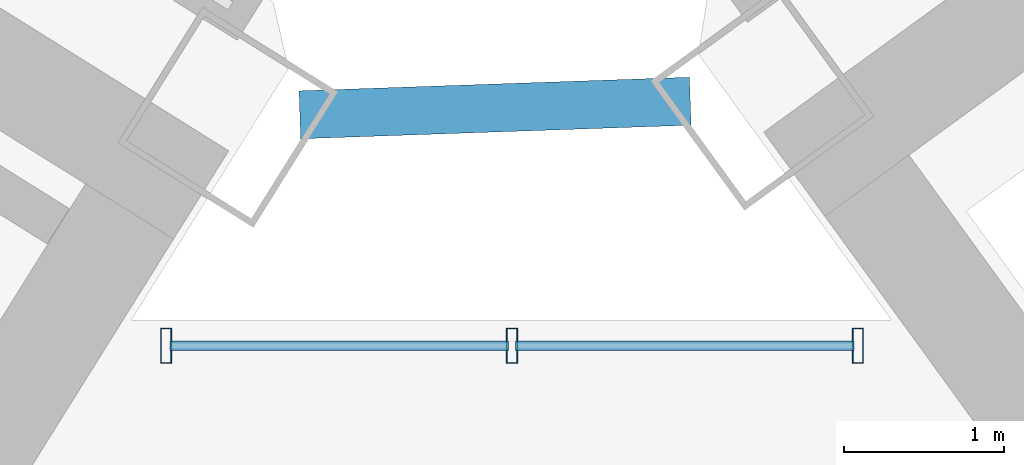
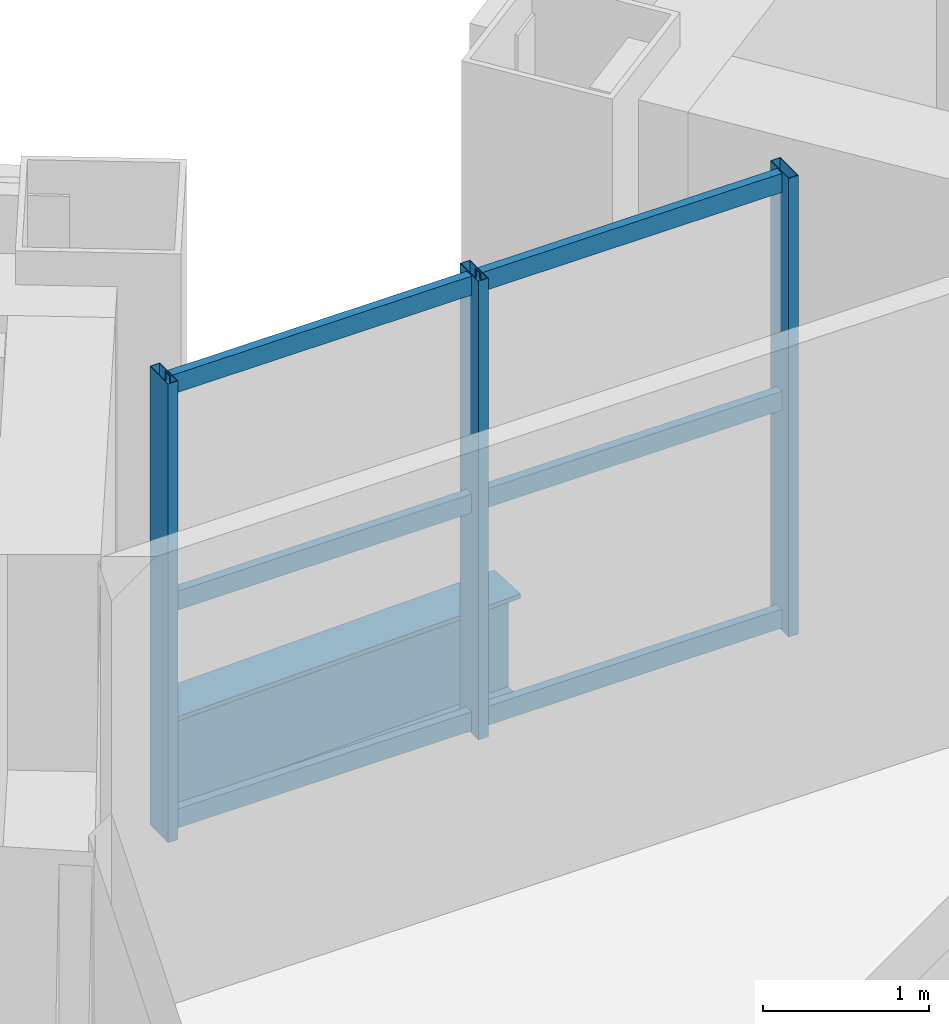
# One storey, part 11 of 28: 9 members, 1 beam, 1 element without a shape of its own.
"""IFC4 building model written with IfcOpenShell, lengths in metres."""

from ifc_helpers import new_model, si_unit, direction, frame, origin, origin_2d, place, context, subcontext, project, spatial, hollow_rectangle, i_section, extrude, source, transform, mapped, material, material_profile, profile_set, type_object, element, aggregate, save


model = new_model("IFC4")

# Units and contexts
model_context = context("Model", 3, precision=1e-05, world=origin(), true_north=direction((0.0, 1.0)))
body_context = subcontext(model_context, "Body", "Model", "MODEL_VIEW")
ifc_project = project(units=[si_unit("LENGTHUNIT", "METRE"), si_unit("AREAUNIT", "SQUARE_METRE"), si_unit("VOLUMEUNIT", "CUBIC_METRE"), si_unit("PLANEANGLEUNIT", "RADIAN"), si_unit("MASSUNIT", "GRAM", prefix="KILO")], contexts=[model_context])

# Site, building, storey
site_placement = place(None, origin())
site = spatial("IfcSite", under=ifc_project, at=site_placement, CompositionType="ELEMENT")
building_placement = place(site_placement, origin())
building = spatial("IfcBuilding", under=site, at=building_placement, Name="Tlacorven Tower", CompositionType="ELEMENT")
storey_placement = place(building_placement, frame((0.0, 0.0, 56.39990234375)))
storey = spatial("IfcBuildingStorey", under=building, at=storey_placement, Name="L14", CompositionType="ELEMENT", Elevation=56.39990234375)

# Beam
ifc_material_1 = material(Name="Steel S355J2", Category="steel")
ifc_material_profile_1 = material_profile(ifc_material_1, i_section(OverallWidth=0.300048828125, OverallDepth=0.800048828125, WebThickness=0.017578125, FlangeThickness=0.032958984375, at=origin_2d()), Name="HEB 800")
ifc_profile_set_1 = profile_set([ifc_material_profile_1], Name="Steel S355J2")
beam_type = type_object("IfcBeamType", Name="BM-POD-800", PredefinedType="BEAM", material=ifc_profile_set_1)
shared_shape_1 = source(origin(), body_context, "Body", "SweptSolid", [
    extrude(i_section(OverallWidth=0.300048828125, OverallDepth=0.800048828125, WebThickness=0.017578125, FlangeThickness=0.032958984375, at=origin_2d()), origin(), (0.0, 0.0, 1.0), 2.44287109375),
])
beam_placement = place(storey_placement, frame((41.232666015625, 24.484130859375, -0.64990234375), z_axis=(0.999391550767, 0.034878765122, 0.0), x_axis=(-0.034878765122, 0.999391550767, 0.0)))
element("IfcBeam", 1, at=beam_placement, inside=storey, type_object=beam_type, Name="L14 Knuckle Link Girder 1", PredefinedType="BEAM", context=body_context, shape_type="MappedRepresentation", body=[
    mapped(shared_shape_1, transform((0.0, 0.0, 0.0), scale=1.0)),
])

# Curtain wall, members
ifc_material_2 = material(Name="Dark solar low-E double glazing in aluminium frame", Category="aluminium")
curtain_wall_type = type_object("IfcCurtainWallType", Name="CW-TWR-LOW", PredefinedType="USERDEFINED", material=ifc_material_2)
curtain_wall_placement = place(storey_placement, origin())
curtain_wall = element("IfcCurtainWall", 2, at=curtain_wall_placement, inside=storey, type_object=curtain_wall_type, Name="L14 CW-TWR-LOW Curtain Wall 80", ObjectType="UNITISED CURTAIN WALL", PredefinedType="USERDEFINED")
ifc_material_3 = material(Name="Aluminium 6063-T6 anodised", Category="aluminium")
ifc_material_profile_2 = material_profile(ifc_material_3, hollow_rectangle(XDim=0.070068359375, YDim=0.219970703125, WallThickness=0.0048828125, at=origin_2d()), Name="ALU MULLION 70X220")
ifc_profile_set_2 = profile_set([ifc_material_profile_2], Name="Aluminium 6063-T6 anodised")
member_type_1 = type_object("IfcMemberType", Name="CWM-01", PredefinedType="MULLION", material=ifc_profile_set_2)
shared_shape_2 = source(origin(), body_context, "Body", "SweptSolid", [
    extrude(hollow_rectangle(XDim=0.070068359375, YDim=0.219970703125, WallThickness=0.0048828125, at=origin_2d()), origin(), (0.0, 0.0, 1.0), 3.380126953125),
])
member_1_placement = place(storey_placement, frame((40.396728515625, 23.0400390625, -0.02001953125), z_axis=(0.0, 0.0, 1.0), x_axis=(1.0, 0.0, 0.0)))
member_1 = element("IfcMember", 3, at=member_1_placement, type_object=member_type_1, Name="CW-L14-080 Mullion 1", PredefinedType="MULLION", context=body_context, shape_type="MappedRepresentation", body=[
    mapped(shared_shape_2, transform((0.0, 0.0, 0.0), scale=1.0)),
])
member_2_placement = place(storey_placement, frame((42.559326171875, 23.0400390625, -0.02001953125), z_axis=(0.0, 0.0, 1.0), x_axis=(1.0, 0.0, 0.0)))
member_2 = element("IfcMember", 4, at=member_2_placement, type_object=member_type_1, Name="CW-L14-080 Mullion 2", PredefinedType="MULLION", context=body_context, shape_type="MappedRepresentation", body=[
    mapped(shared_shape_2, transform((0.0, 0.0, 0.0), scale=1.0)),
])
member_3_placement = place(storey_placement, frame((44.721923828125, 23.0400390625, -0.02001953125), z_axis=(0.0, 0.0, 1.0), x_axis=(1.0, 0.0, 0.0)))
member_3 = element("IfcMember", 5, at=member_3_placement, type_object=member_type_1, Name="CW-L14-080 Mullion 3", PredefinedType="MULLION", context=body_context, shape_type="MappedRepresentation", body=[
    mapped(shared_shape_2, transform((0.0, 0.0, 0.0), scale=1.0)),
])
ifc_material_profile_3 = material_profile(ifc_material_3, hollow_rectangle(XDim=0.06005859375, YDim=0.139892578125, WallThickness=0.00390625, at=origin_2d()), Name="ALU TRANSOM 60X140")
ifc_profile_set_3 = profile_set([ifc_material_profile_3], Name="Aluminium 6063-T6 anodised")
member_type_2 = type_object("IfcMemberType", Name="CWT-02", PredefinedType="USERDEFINED", material=ifc_profile_set_3)
shared_shape_3 = source(origin(), body_context, "Body", "SweptSolid", [
    extrude(hollow_rectangle(XDim=0.06005859375, YDim=0.139892578125, WallThickness=0.00390625, at=origin_2d()), origin(), (0.0, 0.0, 1.0), 2.116455078125),
])
member_4_placement = place(storey_placement, frame((40.419921875, 23.0400390625, 0.070068359375), z_axis=(1.0, 0.0, 0.0), x_axis=(0.0, 1.0, 0.0)))
member_4 = element("IfcMember", 6, at=member_4_placement, type_object=member_type_2, Name="CW-L14-080 Transom 1", ObjectType="TRANSOM", PredefinedType="USERDEFINED", context=body_context, shape_type="MappedRepresentation", body=[
    mapped(shared_shape_3, transform((0.0, 0.0, 0.0), scale=1.0)),
])
member_5_placement = place(storey_placement, frame((40.419921875, 23.0400390625, 1.675048828125), z_axis=(1.0, 0.0, 0.0), x_axis=(0.0, 1.0, 0.0)))
member_5 = element("IfcMember", 7, at=member_5_placement, type_object=member_type_2, Name="CW-L14-080 Transom 2", ObjectType="TRANSOM", PredefinedType="USERDEFINED", context=body_context, shape_type="MappedRepresentation", body=[
    mapped(shared_shape_3, transform((0.0, 0.0, 0.0), scale=1.0)),
])
member_6_placement = place(storey_placement, frame((40.419921875, 23.0400390625, 3.280029296875), z_axis=(1.0, 0.0, 0.0), x_axis=(0.0, 1.0, 0.0)))
member_6 = element("IfcMember", 8, at=member_6_placement, type_object=member_type_2, Name="CW-L14-080 Transom 3", ObjectType="TRANSOM", PredefinedType="USERDEFINED", context=body_context, shape_type="MappedRepresentation", body=[
    mapped(shared_shape_3, transform((0.0, 0.0, 0.0), scale=1.0)),
])
shared_shape_4 = source(origin(), body_context, "Body", "SweptSolid", [
    extrude(hollow_rectangle(XDim=0.06005859375, YDim=0.139892578125, WallThickness=0.00390625, at=origin_2d()), origin(), (0.0, 0.0, 1.0), 2.11669921875),
])
member_7_placement = place(storey_placement, frame((42.582275390625, 23.0400390625, 0.070068359375), z_axis=(1.0, 0.0, 0.0), x_axis=(0.0, 1.0, 0.0)))
member_7 = element("IfcMember", 9, at=member_7_placement, type_object=member_type_2, Name="CW-L14-080 Transom 4", ObjectType="TRANSOM", PredefinedType="USERDEFINED", context=body_context, shape_type="MappedRepresentation", body=[
    mapped(shared_shape_4, transform((0.0, 0.0, 0.0), scale=1.0)),
])
member_8_placement = place(storey_placement, frame((42.582275390625, 23.0400390625, 1.675048828125), z_axis=(1.0, 0.0, 0.0), x_axis=(0.0, 1.0, 0.0)))
member_8 = element("IfcMember", 10, at=member_8_placement, type_object=member_type_2, Name="CW-L14-080 Transom 5", ObjectType="TRANSOM", PredefinedType="USERDEFINED", context=body_context, shape_type="MappedRepresentation", body=[
    mapped(shared_shape_4, transform((0.0, 0.0, 0.0), scale=1.0)),
])
member_9_placement = place(storey_placement, frame((42.582275390625, 23.0400390625, 3.280029296875), z_axis=(1.0, 0.0, 0.0), x_axis=(0.0, 1.0, 0.0)))
member_9 = element("IfcMember", 11, at=member_9_placement, type_object=member_type_2, Name="CW-L14-080 Transom 6", ObjectType="TRANSOM", PredefinedType="USERDEFINED", context=body_context, shape_type="MappedRepresentation", body=[
    mapped(shared_shape_4, transform((0.0, 0.0, 0.0), scale=1.0)),
])
aggregate(curtain_wall, [member_1, member_2, member_3, member_4, member_5, member_6, member_7, member_8, member_9])

save(model, "model.ifc")
